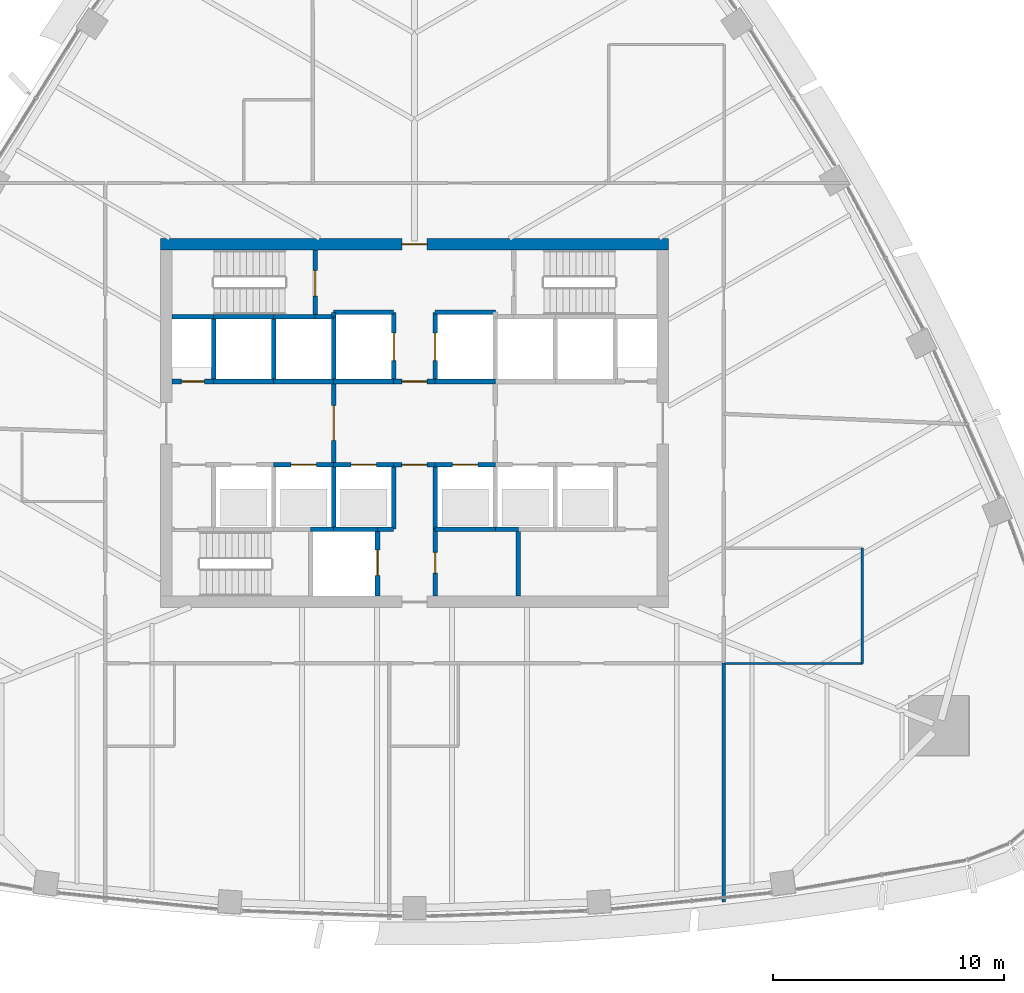
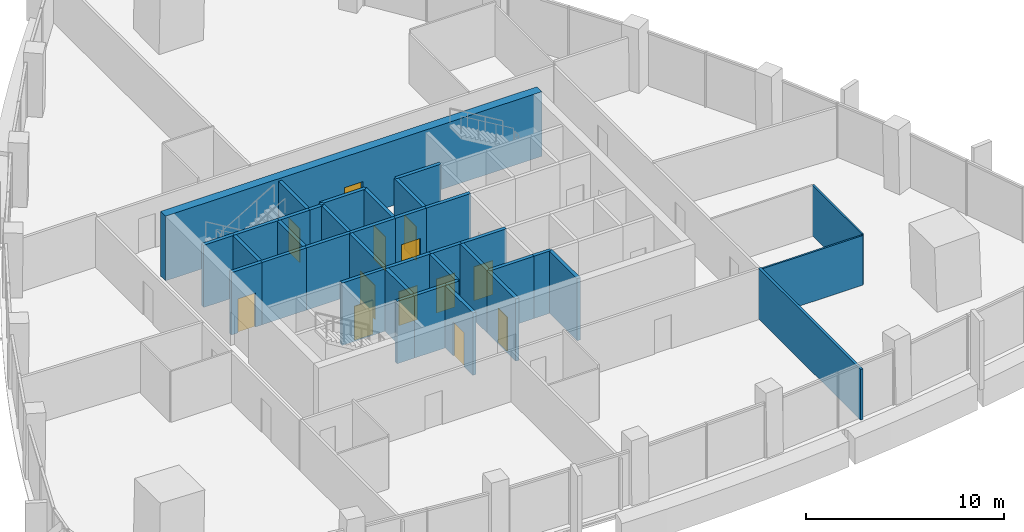
# One storey, part 10 of 19: 39 walls, 13 doors, 13 openings.
"""IFC4 building model written with IfcOpenShell, lengths in metres."""

from ifc_helpers import new_model, si_unit, direction, frame, frame_2d, origin, place, context, subcontext, project, spatial, rectangle, extrude, material, layer, layer_set, type_object, element, fill, save


model = new_model("IFC4")

# Units and contexts
model_context = context("Model", 3, precision=1e-05, world=origin(), true_north=direction((0.0, 1.0)))
body_context = subcontext(model_context, "Body", "Model", "MODEL_VIEW")
ifc_project = project(units=[si_unit("LENGTHUNIT", "METRE"), si_unit("AREAUNIT", "SQUARE_METRE"), si_unit("VOLUMEUNIT", "CUBIC_METRE"), si_unit("PLANEANGLEUNIT", "RADIAN"), si_unit("MASSUNIT", "GRAM", prefix="KILO")], contexts=[model_context])

# Site, building, storey
site_placement = place(None, origin())
site = spatial("IfcSite", under=ifc_project, at=site_placement, CompositionType="ELEMENT")
building_placement = place(site_placement, origin())
building = spatial("IfcBuilding", under=site, at=building_placement, Name="Sierra Prisma Convention Tower", CompositionType="ELEMENT")
storey_placement = place(building_placement, frame((0.0, 0.0, 209.800048828125)))
storey = spatial("IfcBuildingStorey", under=building, at=storey_placement, Name="L47", CompositionType="ELEMENT", Elevation=209.800048828125)

# Walls
ifc_material_1 = material(Name="Gypsum board partition", Category="gypsum")
ifc_layer_1 = layer(ifc_material_1, 0.10009765625)
ifc_layer_set_1 = layer_set([ifc_layer_1], Name="Bathroom partition 100")
wall_type_1 = type_object("IfcWallType", Name="Bathroom partition 100", PredefinedType="PARTITIONING", material=ifc_layer_set_1)
wall_1_placement = place(storey_placement, frame((19.39990234375, -5.419921875, 0.0), z_axis=(0.0, 0.0, 1.0), x_axis=(0.0, -1.0, 0.0)))
element("IfcWall", 1, at=wall_1_placement, inside=storey, type_object=wall_type_1, Name="Partition L47 bath 13", PredefinedType="PARTITIONING", context=body_context, shape_type="SweptSolid", body=[
    extrude(rectangle(XDim=5.0, YDim=0.10009765625, at=frame_2d((2.5, 0.0))), origin(), (0.0, 0.0, 1.0), 3.137939453125),
])
wall_2_placement = place(storey_placement, frame((19.39990234375, -10.419921875, 0.0), z_axis=(0.0, 0.0, 1.0), x_axis=(-1.0, 0.0, 0.0)))
element("IfcWall", 2, at=wall_2_placement, inside=storey, type_object=wall_type_1, Name="Partition L47 bath 14", PredefinedType="PARTITIONING", context=body_context, shape_type="SweptSolid", body=[
    extrude(rectangle(XDim=5.969970703125, YDim=0.10009765625, at=frame_2d((2.98486328125, 0.0))), origin(), (0.0, 0.0, 1.0), 3.06591796875),
])

# Wall, opening, door
ifc_material_2 = material(Name="Concrete C30/37", Category="concrete")
ifc_layer_2 = layer(ifc_material_2, 0.199951171875)
ifc_layer_set_2 = layer_set([ifc_layer_2], Name="Core wall RC 200 C30/37")
wall_type_2 = type_object("IfcWallType", Name="Core wall RC 200 C30/37", PredefinedType="SOLIDWALL", material=ifc_layer_set_2)
wall_3_placement = place(storey_placement, frame((-8.699951171875, 1.800048828125, 0.0), z_axis=(0.0, 0.0, 1.0), x_axis=(-1.0, 0.0, 0.0)))
wall_3 = element("IfcWall", 3, at=wall_3_placement, inside=storey, type_object=wall_type_2, Name="Core wall L47 3", PredefinedType="SOLIDWALL", context=body_context, shape_type="SweptSolid", body=[
    extrude(rectangle(XDim=1.800048828125, YDim=0.199951171875, at=frame_2d((0.89990234375, 0.0))), origin(), (0.0, 0.0, 1.0), 3.849853515625),
])
opening_1_placement = place(wall_3_placement, frame((0.39990234375, 0.0, 0.0)))
opening_1 = element("IfcOpeningElement", 4, at=opening_1_placement, cuts=wall_3, Name="Opening L47-D015", PredefinedType="OPENING", context=body_context, shape_type="SweptSolid", body=[
    extrude(rectangle(XDim=1.0, YDim=2.10009765625, at=frame_2d((0.5, 1.050048828125))), frame((0.0, 0.10009765625, 0.0), z_axis=(0.0, -1.0, 0.0), x_axis=(1.0, 0.0, 0.0)), (0.0, 0.0, 1.0), 0.199951171875),
])
ifc_material_3 = material(Name="Steel fire door leaf", Category="steel")
door_type_1 = type_object("IfcDoorType", Name="Door 1000x2100 FD60S", OperationType="SINGLE_SWING_LEFT", PredefinedType="DOOR", material=ifc_material_3)
door_1_placement = place(opening_1_placement, origin())
door_1 = element("IfcDoor", 5, at=door_1_placement, inside=storey, type_object=door_type_1, Name="Door L47 29", OperationType="SINGLE_SWING_RIGHT", OverallHeight=2.10009765625, OverallWidth=1.0, PredefinedType="DOOR", context=body_context, shape_type="SweptSolid", body=[
    extrude(rectangle(XDim=1.0, YDim=2.10009765625, at=frame_2d((0.5, 1.050048828125))), frame((0.0, 0.02490234375, 0.0), z_axis=(0.0, -1.0, 0.0), x_axis=(1.0, 0.0, 0.0)), (0.0, 0.0, 1.0), 0.050048828125),
])
fill(opening_1, door_1)

# Walls
wall_4_placement = place(storey_placement, frame((-8.699951171875, 4.60009765625, 0.0), z_axis=(0.0, 0.0, 1.0), x_axis=(-1.0, 0.0, 0.0)))
element("IfcWall", 6, at=wall_4_placement, inside=storey, type_object=wall_type_2, Name="Core wall L47 4", PredefinedType="SOLIDWALL", context=body_context, shape_type="SweptSolid", body=[
    extrude(rectangle(XDim=1.800048828125, YDim=0.199951171875, at=frame_2d((0.89990234375, 0.0))), origin(), (0.0, 0.0, 1.0), 3.849853515625),
])
wall_5_placement = place(storey_placement, frame((-6.10009765625, 1.800048828125, 0.0), z_axis=(0.0, 0.0, 1.0), x_axis=(-1.0, 0.0, 0.0)))
element("IfcWall", 7, at=wall_5_placement, inside=storey, type_object=wall_type_2, Name="Core wall L47 8", PredefinedType="SOLIDWALL", context=body_context, shape_type="SweptSolid", body=[
    extrude(rectangle(XDim=2.599853515625, YDim=0.199951171875, at=frame_2d((1.2998046875, 0.0))), origin(), (0.0, 0.0, 1.0), 3.849853515625),
])
wall_6_placement = place(storey_placement, frame((-8.699951171875, 1.800048828125, 0.0), z_axis=(0.0, 0.0, 1.0), x_axis=(0.0, 1.0, 0.0)))
element("IfcWall", 8, at=wall_6_placement, inside=storey, type_object=wall_type_2, Name="Core wall L47 9", PredefinedType="SOLIDWALL", context=body_context, shape_type="SweptSolid", body=[
    extrude(rectangle(XDim=2.800048828125, YDim=0.199951171875, at=frame_2d((1.39990234375, 0.0))), origin(), (0.0, 0.0, 1.0), 3.849853515625),
])
wall_7_placement = place(storey_placement, frame((-6.10009765625, 4.60009765625, 0.0), z_axis=(0.0, 0.0, 1.0), x_axis=(-1.0, 0.0, 0.0)))
element("IfcWall", 9, at=wall_7_placement, inside=storey, type_object=wall_type_2, Name="Core wall L47 10", PredefinedType="SOLIDWALL", context=body_context, shape_type="SweptSolid", body=[
    extrude(rectangle(XDim=2.599853515625, YDim=0.199951171875, at=frame_2d((1.2998046875, 0.0))), origin(), (0.0, 0.0, 1.0), 3.849853515625),
])

# Wall, opening, door
wall_8_placement = place(storey_placement, frame((-6.10009765625, -1.800048828125, 0.0), z_axis=(0.0, 0.0, 1.0), x_axis=(1.0, 0.0, 0.0)))
wall_8 = element("IfcWall", 10, at=wall_8_placement, inside=storey, type_object=wall_type_2, Name="Core wall L47 13", PredefinedType="SOLIDWALL", context=body_context, shape_type="SweptSolid", body=[
    extrude(rectangle(XDim=2.60009765625, YDim=0.199951171875, at=frame_2d((1.300048828125, 0.0))), origin(), (0.0, 0.0, 1.0), 3.849853515625),
])
opening_2_placement = place(wall_8_placement, frame((0.75, 0.0, 0.0)))
opening_2 = element("IfcOpeningElement", 11, at=opening_2_placement, cuts=wall_8, Name="Opening L47-D002", PredefinedType="OPENING", context=body_context, shape_type="SweptSolid", body=[
    extrude(rectangle(XDim=1.10009765625, YDim=2.10009765625, at=frame_2d((0.550048828125, 1.050048828125))), frame((0.0, 0.10009765625, 0.0), z_axis=(0.0, -1.0, 0.0), x_axis=(1.0, 0.0, 0.0)), (0.0, 0.0, 1.0), 0.199951171875),
])
ifc_material_4 = material(Name="Steel fire door leaf", Category="steel")
door_type_2 = type_object("IfcDoorType", Name="Door 1100x2100 EI 90 sliding lift landing", OperationType="SLIDING_TO_LEFT", PredefinedType="DOOR", material=ifc_material_4)
door_2_placement = place(opening_2_placement, origin())
door_2 = element("IfcDoor", 12, at=door_2_placement, inside=storey, type_object=door_type_2, Name="Door L47 16", OperationType="SLIDING_TO_RIGHT", OverallHeight=2.10009765625, OverallWidth=1.10009765625, PredefinedType="DOOR", context=body_context, shape_type="SweptSolid", body=[
    extrude(rectangle(XDim=1.10009765625, YDim=2.10009765625, at=frame_2d((0.550048828125, 1.050048828125))), frame((0.0, 0.02490234375, 0.0), z_axis=(0.0, -1.0, 0.0), x_axis=(1.0, 0.0, 0.0)), (0.0, 0.0, 1.0), 0.050048828125),
])
fill(opening_2, door_2)

# Walls
wall_9_placement = place(storey_placement, frame((-3.5, 1.800048828125, 0.0), z_axis=(0.0, 0.0, 1.0), x_axis=(-1.0, 0.0, 0.0)))
element("IfcWall", 13, at=wall_9_placement, inside=storey, type_object=wall_type_2, Name="Core wall L47 14", PredefinedType="SOLIDWALL", context=body_context, shape_type="SweptSolid", body=[
    extrude(rectangle(XDim=2.60009765625, YDim=0.199951171875, at=frame_2d((1.300048828125, 0.0))), origin(), (0.0, 0.0, 1.0), 3.849853515625),
])
wall_10_placement = place(storey_placement, frame((-6.10009765625, 1.800048828125, 0.0), z_axis=(0.0, 0.0, 1.0), x_axis=(0.0, 1.0, 0.0)))
element("IfcWall", 14, at=wall_10_placement, inside=storey, type_object=wall_type_2, Name="Core wall L47 15", PredefinedType="SOLIDWALL", context=body_context, shape_type="SweptSolid", body=[
    extrude(rectangle(XDim=2.800048828125, YDim=0.199951171875, at=frame_2d((1.39990234375, 0.0))), origin(), (0.0, 0.0, 1.0), 3.849853515625),
])
wall_11_placement = place(storey_placement, frame((-4.300048828125, 4.60009765625, 0.0), z_axis=(0.0, 0.0, 1.0), x_axis=(-1.0, 0.0, 0.0)))
element("IfcWall", 15, at=wall_11_placement, inside=storey, type_object=wall_type_2, Name="Core wall L47 16", PredefinedType="SOLIDWALL", context=body_context, shape_type="SweptSolid", body=[
    extrude(rectangle(XDim=1.800048828125, YDim=0.199951171875, at=frame_2d((0.89990234375, 0.0))), origin(), (0.0, 0.0, 1.0), 3.849853515625),
])
wall_12_placement = place(storey_placement, frame((-4.5, -4.60009765625, 0.0), z_axis=(0.0, 0.0, 1.0), x_axis=(1.0, 0.0, 0.0)))
element("IfcWall", 16, at=wall_12_placement, inside=storey, type_object=wall_type_2, Name="Core wall L47 18", PredefinedType="SOLIDWALL", context=body_context, shape_type="SweptSolid", body=[
    extrude(rectangle(XDim=1.0, YDim=0.199951171875, at=frame_2d((0.5, 0.0))), origin(), (0.0, 0.0, 1.0), 3.849853515625),
])
wall_13_placement = place(storey_placement, frame((-3.5, 4.60009765625, 0.0), z_axis=(0.0, 0.0, 1.0), x_axis=(-1.0, 0.0, 0.0)))
element("IfcWall", 17, at=wall_13_placement, inside=storey, type_object=wall_type_2, Name="Core wall L47 19", PredefinedType="SOLIDWALL", context=body_context, shape_type="SweptSolid", body=[
    extrude(rectangle(XDim=0.800048828125, YDim=0.199951171875, at=frame_2d((0.39990234375, 0.0))), origin(), (0.0, 0.0, 1.0), 3.849853515625),
])

# Wall, opening, door
wall_14_placement = place(storey_placement, frame((-4.300048828125, 4.60009765625, 0.0), z_axis=(0.0, 0.0, 1.0), x_axis=(0.0, 1.0, 0.0)))
wall_14 = element("IfcWall", 18, at=wall_14_placement, inside=storey, type_object=wall_type_2, Name="Core wall L47 20", PredefinedType="SOLIDWALL", context=body_context, shape_type="SweptSolid", body=[
    extrude(rectangle(XDim=2.89990234375, YDim=0.199951171875, at=frame_2d((1.449951171875, 0.0))), origin(), (0.0, 0.0, 1.0), 3.849853515625),
])
opening_3_placement = place(wall_14_placement, frame((0.89990234375, 0.0, 0.0)))
opening_3 = element("IfcOpeningElement", 19, at=opening_3_placement, cuts=wall_14, Name="Opening L47-D018", PredefinedType="OPENING", context=body_context, shape_type="SweptSolid", body=[
    extrude(rectangle(XDim=1.10009765625, YDim=2.10009765625, at=frame_2d((0.550048828125, 1.050048828125))), frame((0.0, 0.10009765625, 0.0), z_axis=(0.0, -1.0, 0.0), x_axis=(1.0, 0.0, 0.0)), (0.0, 0.0, 1.0), 0.199951171875),
])
ifc_material_5 = material(Name="Steel fire door leaf", Category="steel")
door_type_3 = type_object("IfcDoorType", Name="Door 1100x2100 FD90S", OperationType="SINGLE_SWING_LEFT", PredefinedType="DOOR", material=ifc_material_5)
door_3_placement = place(opening_3_placement, origin())
door_3 = element("IfcDoor", 20, at=door_3_placement, inside=storey, type_object=door_type_3, Name="Door L47 32", OperationType="SINGLE_SWING_RIGHT", OverallHeight=2.10009765625, OverallWidth=1.10009765625, PredefinedType="DOOR", context=body_context, shape_type="SweptSolid", body=[
    extrude(rectangle(XDim=1.10009765625, YDim=2.10009765625, at=frame_2d((0.550048828125, 1.050048828125))), frame((0.0, 0.02490234375, 0.0), z_axis=(0.0, -1.0, 0.0), x_axis=(1.0, 0.0, 0.0)), (0.0, 0.0, 1.0), 0.050048828125),
])
fill(opening_3, door_3)

# Walls
wall_15_placement = place(storey_placement, frame((-3.5, -4.60009765625, 0.0), z_axis=(0.0, 0.0, 1.0), x_axis=(1.0, 0.0, 0.0)))
element("IfcWall", 21, at=wall_15_placement, inside=storey, type_object=wall_type_2, Name="Core wall L47 21", PredefinedType="SOLIDWALL", context=body_context, shape_type="SweptSolid", body=[
    extrude(rectangle(XDim=1.89990234375, YDim=0.199951171875, at=frame_2d((0.949951171875, 0.0))), origin(), (0.0, 0.0, 1.0), 3.849853515625),
])
wall_16_placement = place(storey_placement, frame((-3.5, -4.60009765625, 0.0), z_axis=(0.0, 0.0, 1.0), x_axis=(0.0, 1.0, 0.0)))
element("IfcWall", 22, at=wall_16_placement, inside=storey, type_object=wall_type_2, Name="Core wall L47 22", PredefinedType="SOLIDWALL", context=body_context, shape_type="SweptSolid", body=[
    extrude(rectangle(XDim=2.800048828125, YDim=0.199951171875, at=frame_2d((1.39990234375, 0.0))), origin(), (0.0, 0.0, 1.0), 3.849853515625),
])

# Wall, opening, door
wall_17_placement = place(storey_placement, frame((-3.5, -1.800048828125, 0.0), z_axis=(0.0, 0.0, 1.0), x_axis=(1.0, 0.0, 0.0)))
wall_17 = element("IfcWall", 23, at=wall_17_placement, inside=storey, type_object=wall_type_2, Name="Core wall L47 23", PredefinedType="SOLIDWALL", context=body_context, shape_type="SweptSolid", body=[
    extrude(rectangle(XDim=2.60009765625, YDim=0.199951171875, at=frame_2d((1.300048828125, 0.0))), origin(), (0.0, 0.0, 1.0), 3.849853515625),
])
opening_4_placement = place(wall_17_placement, frame((0.75, 0.0, 0.0)))
opening_4 = element("IfcOpeningElement", 24, at=opening_4_placement, cuts=wall_17, Name="Opening L47-D003", PredefinedType="OPENING", context=body_context, shape_type="SweptSolid", body=[
    extrude(rectangle(XDim=1.10009765625, YDim=2.10009765625, at=frame_2d((0.550048828125, 1.050048828125))), frame((0.0, 0.10009765625, 0.0), z_axis=(0.0, -1.0, 0.0), x_axis=(1.0, 0.0, 0.0)), (0.0, 0.0, 1.0), 0.199951171875),
])
door_4_placement = place(opening_4_placement, origin())
door_4 = element("IfcDoor", 25, at=door_4_placement, inside=storey, type_object=door_type_2, Name="Door L47 17", OperationType="SLIDING_TO_LEFT", OverallHeight=2.10009765625, OverallWidth=1.10009765625, PredefinedType="DOOR", context=body_context, shape_type="SweptSolid", body=[
    extrude(rectangle(XDim=1.10009765625, YDim=2.10009765625, at=frame_2d((0.550048828125, 1.050048828125))), frame((0.0, 0.02490234375, 0.0), z_axis=(0.0, -1.0, 0.0), x_axis=(1.0, 0.0, 0.0)), (0.0, 0.0, 1.0), 0.050048828125),
])
fill(opening_4, door_4)

wall_18_placement = place(storey_placement, frame((-3.5, 1.800048828125, 0.0), z_axis=(0.0, 0.0, 1.0), x_axis=(0.0, -1.0, 0.0)))
wall_18 = element("IfcWall", 26, at=wall_18_placement, inside=storey, type_object=wall_type_2, Name="Core wall L47 24", PredefinedType="SOLIDWALL", context=body_context, shape_type="SweptSolid", body=[
    extrude(rectangle(XDim=3.60009765625, YDim=0.199951171875, at=frame_2d((1.800048828125, 0.0))), origin(), (0.0, 0.0, 1.0), 3.849853515625),
])
opening_5_placement = place(wall_18_placement, frame((1.050048828125, 0.0, 0.0)))
opening_5 = element("IfcOpeningElement", 27, at=opening_5_placement, cuts=wall_18, Name="Opening L47-D010", PredefinedType="OPENING", context=body_context, shape_type="SweptSolid", body=[
    extrude(rectangle(XDim=1.5, YDim=2.10009765625, at=frame_2d((0.75, 1.050048828125))), frame((0.0, 0.10009765625, 0.0), z_axis=(0.0, -1.0, 0.0), x_axis=(1.0, 0.0, 0.0)), (0.0, 0.0, 1.0), 0.199951171875),
])
ifc_material_6 = material(Name="Steel fire door leaf", Category="steel")
door_type_4 = type_object("IfcDoorType", Name="Door 1500x2100 FD30S", OperationType="DOUBLE_DOOR_SINGLE_SWING", PredefinedType="DOOR", material=ifc_material_6)
door_5_placement = place(opening_5_placement, origin())
door_5 = element("IfcDoor", 28, at=door_5_placement, inside=storey, type_object=door_type_4, Name="Door L47 24", OperationType="DOUBLE_DOOR_SINGLE_SWING", OverallHeight=2.10009765625, OverallWidth=1.5, PredefinedType="DOOR", context=body_context, shape_type="SweptSolid", body=[
    extrude(rectangle(XDim=1.5, YDim=2.10009765625, at=frame_2d((0.75, 1.050048828125))), frame((0.0, 0.02490234375, 0.0), z_axis=(0.0, -1.0, 0.0), x_axis=(1.0, 0.0, 0.0)), (0.0, 0.0, 1.0), 0.050048828125),
])
fill(opening_5, door_5)

# Walls
wall_19_placement = place(storey_placement, frame((-0.89990234375, 1.800048828125, 0.0), z_axis=(0.0, 0.0, 1.0), x_axis=(-1.0, 0.0, 0.0)))
element("IfcWall", 29, at=wall_19_placement, inside=storey, type_object=wall_type_2, Name="Core wall L47 25", PredefinedType="SOLIDWALL", context=body_context, shape_type="SweptSolid", body=[
    extrude(rectangle(XDim=2.60009765625, YDim=0.199951171875, at=frame_2d((1.300048828125, 0.0))), origin(), (0.0, 0.0, 1.0), 3.849853515625),
])
wall_20_placement = place(storey_placement, frame((-3.5, 4.60009765625, 0.0), z_axis=(0.0, 0.0, 1.0), x_axis=(0.0, -1.0, 0.0)))
element("IfcWall", 30, at=wall_20_placement, inside=storey, type_object=wall_type_2, Name="Core wall L47 26", PredefinedType="SOLIDWALL", context=body_context, shape_type="SweptSolid", body=[
    extrude(rectangle(XDim=2.800048828125, YDim=0.199951171875, at=frame_2d((1.39990234375, 0.0))), origin(), (0.0, 0.0, 1.0), 3.849853515625),
])

# Wall, opening, door
wall_21_placement = place(storey_placement, frame((-0.89990234375, 1.800048828125, 0.0), z_axis=(0.0, 0.0, 1.0), x_axis=(0.0, 1.0, 0.0)))
wall_21 = element("IfcWall", 31, at=wall_21_placement, inside=storey, type_object=wall_type_2, Name="Core wall L47 27", PredefinedType="SOLIDWALL", context=body_context, shape_type="SweptSolid", body=[
    extrude(rectangle(XDim=3.0, YDim=0.199951171875, at=frame_2d((1.5, 0.0))), origin(), (0.0, 0.0, 1.0), 3.849853515625),
])
opening_6_placement = place(wall_21_placement, frame((0.89990234375, 0.0, 0.0)))
opening_6 = element("IfcOpeningElement", 32, at=opening_6_placement, cuts=wall_21, Name="Opening L47-D007", PredefinedType="OPENING", context=body_context, shape_type="SweptSolid", body=[
    extrude(rectangle(XDim=1.199951171875, YDim=2.10009765625, at=frame_2d((0.60009765625, 1.050048828125))), frame((0.0, 0.10009765625, 0.0), z_axis=(0.0, -1.0, 0.0), x_axis=(1.0, 0.0, 0.0)), (0.0, 0.0, 1.0), 0.199951171875),
])
ifc_material_7 = material(Name="Steel fire door leaf", Category="steel")
door_type_5 = type_object("IfcDoorType", Name="Door 1200x2100 EI 90 sliding lift landing", OperationType="SLIDING_TO_LEFT", PredefinedType="DOOR", material=ifc_material_7)
door_6_placement = place(opening_6_placement, origin())
door_6 = element("IfcDoor", 33, at=door_6_placement, inside=storey, type_object=door_type_5, Name="Door L47 21", OperationType="SLIDING_TO_LEFT", OverallHeight=2.10009765625, OverallWidth=1.199951171875, PredefinedType="DOOR", context=body_context, shape_type="SweptSolid", body=[
    extrude(rectangle(XDim=1.199951171875, YDim=2.10009765625, at=frame_2d((0.60009765625, 1.050048828125))), frame((0.0, 0.02490234375, 0.0), z_axis=(0.0, -1.0, 0.0), x_axis=(1.0, 0.0, 0.0)), (0.0, 0.0, 1.0), 0.050048828125),
])
fill(opening_6, door_6)

# Walls
wall_22_placement = place(storey_placement, frame((-0.89990234375, 4.800048828125, 0.0), z_axis=(0.0, 0.0, 1.0), x_axis=(-1.0, 0.0, 0.0)))
element("IfcWall", 34, at=wall_22_placement, inside=storey, type_object=wall_type_2, Name="Core wall L47 28", PredefinedType="SOLIDWALL", context=body_context, shape_type="SweptSolid", body=[
    extrude(rectangle(XDim=2.60009765625, YDim=0.199951171875, at=frame_2d((1.300048828125, 0.0))), origin(), (0.0, 0.0, 1.0), 3.849853515625),
])
wall_23_placement = place(storey_placement, frame((-3.5, 4.800048828125, 0.0), z_axis=(0.0, 0.0, 1.0), x_axis=(0.0, -1.0, 0.0)))
element("IfcWall", 35, at=wall_23_placement, inside=storey, type_object=wall_type_2, Name="Core wall L47 29", PredefinedType="SOLIDWALL", context=body_context, shape_type="SweptSolid", body=[
    extrude(rectangle(XDim=0.199951171875, YDim=0.199951171875, at=frame_2d((0.10009765625, 0.0))), origin(), (0.0, 0.0, 1.0), 3.849853515625),
])

# Wall, opening, door
wall_24_placement = place(storey_placement, frame((-1.60009765625, -7.5, 0.0), z_axis=(0.0, 0.0, 1.0), x_axis=(0.0, 1.0, 0.0)))
wall_24 = element("IfcWall", 36, at=wall_24_placement, inside=storey, type_object=wall_type_2, Name="Core wall L47 30", PredefinedType="SOLIDWALL", context=body_context, shape_type="SweptSolid", body=[
    extrude(rectangle(XDim=2.89990234375, YDim=0.199951171875, at=frame_2d((1.449951171875, 0.0))), origin(), (0.0, 0.0, 1.0), 3.849853515625),
])
opening_7_placement = place(wall_24_placement, frame((0.89990234375, 0.0, 0.0)))
opening_7 = element("IfcOpeningElement", 37, at=opening_7_placement, cuts=wall_24, Name="Opening L47-D009", PredefinedType="OPENING", context=body_context, shape_type="SweptSolid", body=[
    extrude(rectangle(XDim=1.10009765625, YDim=2.10009765625, at=frame_2d((0.550048828125, 1.050048828125))), frame((0.0, 0.10009765625, 0.0), z_axis=(0.0, -1.0, 0.0), x_axis=(1.0, 0.0, 0.0)), (0.0, 0.0, 1.0), 0.199951171875),
])
door_7_placement = place(opening_7_placement, origin())
door_7 = element("IfcDoor", 38, at=door_7_placement, inside=storey, type_object=door_type_2, Name="Door L47 23", OperationType="SLIDING_TO_LEFT", OverallHeight=2.10009765625, OverallWidth=1.10009765625, PredefinedType="DOOR", context=body_context, shape_type="SweptSolid", body=[
    extrude(rectangle(XDim=1.10009765625, YDim=2.10009765625, at=frame_2d((0.550048828125, 1.050048828125))), frame((0.0, 0.02490234375, 0.0), z_axis=(0.0, -1.0, 0.0), x_axis=(1.0, 0.0, 0.0)), (0.0, 0.0, 1.0), 0.050048828125),
])
fill(opening_7, door_7)

# Walls
wall_25_placement = place(storey_placement, frame((-1.60009765625, -4.60009765625, 0.0), z_axis=(0.0, 0.0, 1.0), x_axis=(1.0, 0.0, 0.0)))
element("IfcWall", 39, at=wall_25_placement, inside=storey, type_object=wall_type_2, Name="Core wall L47 31", PredefinedType="SOLIDWALL", context=body_context, shape_type="SweptSolid", body=[
    extrude(rectangle(XDim=0.7001953125, YDim=0.199951171875, at=frame_2d((0.35009765625, 0.0))), origin(), (0.0, 0.0, 1.0), 3.849853515625),
])
wall_26_placement = place(storey_placement, frame((-0.89990234375, -4.60009765625, 0.0), z_axis=(0.0, 0.0, 1.0), x_axis=(0.0, 1.0, 0.0)))
element("IfcWall", 40, at=wall_26_placement, inside=storey, type_object=wall_type_2, Name="Core wall L47 32", PredefinedType="SOLIDWALL", context=body_context, shape_type="SweptSolid", body=[
    extrude(rectangle(XDim=2.800048828125, YDim=0.199951171875, at=frame_2d((1.39990234375, 0.0))), origin(), (0.0, 0.0, 1.0), 3.849853515625),
])

# Wall, opening, door
wall_27_placement = place(storey_placement, frame((-0.89990234375, -1.800048828125, 0.0), z_axis=(0.0, 0.0, 1.0), x_axis=(1.0, 0.0, 0.0)))
wall_27 = element("IfcWall", 41, at=wall_27_placement, inside=storey, type_object=wall_type_2, Name="Core wall L47 33", PredefinedType="SOLIDWALL", context=body_context, shape_type="SweptSolid", body=[
    extrude(rectangle(XDim=1.7998046875, YDim=0.199951171875, at=frame_2d((0.89990234375, 0.0))), origin(), (0.0, 0.0, 1.0), 3.849853515625),
])
opening_8_placement = place(wall_27_placement, frame((0.35009765625, 0.0, 0.0)))
opening_8 = element("IfcOpeningElement", 42, at=opening_8_placement, cuts=wall_27, Name="Opening L47-D014", PredefinedType="OPENING", context=body_context, shape_type="SweptSolid", body=[
    extrude(rectangle(XDim=1.10009765625, YDim=2.10009765625, at=frame_2d((0.550048828125, 1.050048828125))), frame((0.0, 0.10009765625, 0.0), z_axis=(0.0, -1.0, 0.0), x_axis=(1.0, 0.0, 0.0)), (0.0, 0.0, 1.0), 0.199951171875),
])
ifc_material_8 = material(Name="Steel fire door leaf", Category="steel")
door_type_6 = type_object("IfcDoorType", Name="Door 1100x2100 FD30S", OperationType="SINGLE_SWING_LEFT", PredefinedType="DOOR", material=ifc_material_8)
door_8_placement = place(opening_8_placement, origin())
door_8 = element("IfcDoor", 43, at=door_8_placement, inside=storey, type_object=door_type_6, Name="Door L47 28", OperationType="SINGLE_SWING_RIGHT", OverallHeight=2.10009765625, OverallWidth=1.10009765625, PredefinedType="DOOR", context=body_context, shape_type="SweptSolid", body=[
    extrude(rectangle(XDim=1.10009765625, YDim=2.10009765625, at=frame_2d((0.550048828125, 1.050048828125))), frame((0.0, 0.02490234375, 0.0), z_axis=(0.0, -1.0, 0.0), x_axis=(1.0, 0.0, 0.0)), (0.0, 0.0, 1.0), 0.050048828125),
])
fill(opening_8, door_8)

wall_28_placement = place(storey_placement, frame((0.89990234375, 1.800048828125, 0.0), z_axis=(0.0, 0.0, 1.0), x_axis=(-1.0, 0.0, 0.0)))
wall_28 = element("IfcWall", 44, at=wall_28_placement, inside=storey, type_object=wall_type_2, Name="Core wall L47 34", PredefinedType="SOLIDWALL", context=body_context, shape_type="SweptSolid", body=[
    extrude(rectangle(XDim=1.7998046875, YDim=0.199951171875, at=frame_2d((0.89990234375, 0.0))), origin(), (0.0, 0.0, 1.0), 3.849853515625),
])
opening_9_placement = place(wall_28_placement, frame((0.35009765625, 0.0, 0.0)))
opening_9 = element("IfcOpeningElement", 45, at=opening_9_placement, cuts=wall_28, Name="Opening L47-D013", PredefinedType="OPENING", context=body_context, shape_type="SweptSolid", body=[
    extrude(rectangle(XDim=1.10009765625, YDim=2.10009765625, at=frame_2d((0.550048828125, 1.050048828125))), frame((0.0, 0.10009765625, 0.0), z_axis=(0.0, -1.0, 0.0), x_axis=(1.0, 0.0, 0.0)), (0.0, 0.0, 1.0), 0.199951171875),
])
ifc_material_9 = material(Name="Steel fire door leaf", Category="steel")
door_type_7 = type_object("IfcDoorType", Name="Door 1100x2100 FD60S", OperationType="SINGLE_SWING_LEFT", PredefinedType="DOOR", material=ifc_material_9)
door_9_placement = place(opening_9_placement, origin())
door_9 = element("IfcDoor", 46, at=door_9_placement, inside=storey, type_object=door_type_7, Name="Door L47 27", OperationType="SINGLE_SWING_RIGHT", OverallHeight=2.10009765625, OverallWidth=1.10009765625, PredefinedType="DOOR", context=body_context, shape_type="SweptSolid", body=[
    extrude(rectangle(XDim=1.10009765625, YDim=2.10009765625, at=frame_2d((0.550048828125, 1.050048828125))), frame((0.0, 0.02490234375, 0.0), z_axis=(0.0, -1.0, 0.0), x_axis=(1.0, 0.0, 0.0)), (0.0, 0.0, 1.0), 0.050048828125),
])
fill(opening_9, door_9)

wall_29_placement = place(storey_placement, frame((0.89990234375, -4.60009765625, 0.0), z_axis=(0.0, 0.0, 1.0), x_axis=(0.0, -1.0, 0.0)))
wall_29 = element("IfcWall", 47, at=wall_29_placement, inside=storey, type_object=wall_type_2, Name="Core wall L47 35", PredefinedType="SOLIDWALL", context=body_context, shape_type="SweptSolid", body=[
    extrude(rectangle(XDim=2.89990234375, YDim=0.199951171875, at=frame_2d((1.449951171875, 0.0))), origin(), (0.0, 0.0, 1.0), 3.849853515625),
])
opening_10_placement = place(wall_29_placement, frame((1.0, 0.0, 0.0)))
opening_10 = element("IfcOpeningElement", 48, at=opening_10_placement, cuts=wall_29, Name="Opening L47-D022", PredefinedType="OPENING", context=body_context, shape_type="SweptSolid", body=[
    extrude(rectangle(XDim=0.89990234375, YDim=2.10009765625, at=frame_2d((0.449951171875, 1.050048828125))), frame((0.0, 0.10009765625, 0.0), z_axis=(0.0, -1.0, 0.0), x_axis=(1.0, 0.0, 0.0)), (0.0, 0.0, 1.0), 0.199951171875),
])
ifc_material_10 = material(Name="Steel fire door leaf", Category="steel")
door_type_8 = type_object("IfcDoorType", Name="Door 900x2100 FD30S", OperationType="SINGLE_SWING_LEFT", PredefinedType="DOOR", material=ifc_material_10)
door_10_placement = place(opening_10_placement, origin())
door_10 = element("IfcDoor", 49, at=door_10_placement, inside=storey, type_object=door_type_8, Name="Door L47 36", OperationType="SINGLE_SWING_LEFT", OverallHeight=2.10009765625, OverallWidth=0.89990234375, PredefinedType="DOOR", context=body_context, shape_type="SweptSolid", body=[
    extrude(rectangle(XDim=0.89990234375, YDim=2.10009765625, at=frame_2d((0.449951171875, 1.050048828125))), frame((0.0, 0.02490234375, 0.0), z_axis=(0.0, -1.0, 0.0), x_axis=(1.0, 0.0, 0.0)), (0.0, 0.0, 1.0), 0.050048828125),
])
fill(opening_10, door_10)

# Walls
wall_30_placement = place(storey_placement, frame((3.5, -4.60009765625, 0.0), z_axis=(0.0, 0.0, 1.0), x_axis=(-1.0, 0.0, 0.0)))
element("IfcWall", 50, at=wall_30_placement, inside=storey, type_object=wall_type_2, Name="Core wall L47 36", PredefinedType="SOLIDWALL", context=body_context, shape_type="SweptSolid", body=[
    extrude(rectangle(XDim=2.60009765625, YDim=0.199951171875, at=frame_2d((1.300048828125, 0.0))), origin(), (0.0, 0.0, 1.0), 3.849853515625),
])
wall_31_placement = place(storey_placement, frame((0.89990234375, -1.800048828125, 0.0), z_axis=(0.0, 0.0, 1.0), x_axis=(0.0, -1.0, 0.0)))
element("IfcWall", 51, at=wall_31_placement, inside=storey, type_object=wall_type_2, Name="Core wall L47 37", PredefinedType="SOLIDWALL", context=body_context, shape_type="SweptSolid", body=[
    extrude(rectangle(XDim=2.800048828125, YDim=0.199951171875, at=frame_2d((1.39990234375, 0.0))), origin(), (0.0, 0.0, 1.0), 3.849853515625),
])

# Wall, opening, door
wall_32_placement = place(storey_placement, frame((0.89990234375, -1.800048828125, 0.0), z_axis=(0.0, 0.0, 1.0), x_axis=(1.0, 0.0, 0.0)))
wall_32 = element("IfcWall", 52, at=wall_32_placement, inside=storey, type_object=wall_type_2, Name="Core wall L47 38", PredefinedType="SOLIDWALL", context=body_context, shape_type="SweptSolid", body=[
    extrude(rectangle(XDim=2.60009765625, YDim=0.199951171875, at=frame_2d((1.300048828125, 0.0))), origin(), (0.0, 0.0, 1.0), 3.849853515625),
])
opening_11_placement = place(wall_32_placement, frame((0.75, 0.0, 0.0)))
opening_11 = element("IfcOpeningElement", 53, at=opening_11_placement, cuts=wall_32, Name="Opening L47-D004", PredefinedType="OPENING", context=body_context, shape_type="SweptSolid", body=[
    extrude(rectangle(XDim=1.10009765625, YDim=2.10009765625, at=frame_2d((0.550048828125, 1.050048828125))), frame((0.0, 0.10009765625, 0.0), z_axis=(0.0, -1.0, 0.0), x_axis=(1.0, 0.0, 0.0)), (0.0, 0.0, 1.0), 0.199951171875),
])
door_11_placement = place(opening_11_placement, origin())
door_11 = element("IfcDoor", 54, at=door_11_placement, inside=storey, type_object=door_type_2, Name="Door L47 18", OperationType="SLIDING_TO_LEFT", OverallHeight=2.10009765625, OverallWidth=1.10009765625, PredefinedType="DOOR", context=body_context, shape_type="SweptSolid", body=[
    extrude(rectangle(XDim=1.10009765625, YDim=2.10009765625, at=frame_2d((0.550048828125, 1.050048828125))), frame((0.0, 0.02490234375, 0.0), z_axis=(0.0, -1.0, 0.0), x_axis=(1.0, 0.0, 0.0)), (0.0, 0.0, 1.0), 0.050048828125),
])
fill(opening_11, door_11)

# Walls
for number, where, z_axis, x_axis, name in (
    (55, (3.5, 1.800048828125, 0.0), (0.0, 0.0, 1.0), (-1.0, 0.0, 0.0), "Core wall L47 39"),
    (56, (3.5, 4.800048828125, 0.0), (0.0, 0.0, 1.0), (-1.0, 0.0, 0.0), "Core wall L47 41"),
):
    element("IfcWall", number, at=place(storey_placement, frame(where, z_axis=z_axis, x_axis=x_axis)), inside=storey, type_object=wall_type_2, Name=name, PredefinedType="SOLIDWALL", context=body_context, shape_type="SweptSolid", body=[
        extrude(rectangle(XDim=2.60009765625, YDim=0.199951171875, at=frame_2d((1.300048828125, 0.0))), origin(), (0.0, 0.0, 1.0), 3.849853515625),
    ])

# Wall, opening, door
wall_33_placement = place(storey_placement, frame((0.89990234375, 4.800048828125, 0.0), z_axis=(0.0, 0.0, 1.0), x_axis=(0.0, -1.0, 0.0)))
wall_33 = element("IfcWall", 57, at=wall_33_placement, inside=storey, type_object=wall_type_2, Name="Core wall L47 42", PredefinedType="SOLIDWALL", context=body_context, shape_type="SweptSolid", body=[
    extrude(rectangle(XDim=3.0, YDim=0.199951171875, at=frame_2d((1.5, 0.0))), origin(), (0.0, 0.0, 1.0), 3.849853515625),
])
opening_12_placement = place(wall_33_placement, frame((0.89990234375, 0.0, 0.0)))
opening_12 = element("IfcOpeningElement", 58, at=opening_12_placement, cuts=wall_33, Name="Opening L47-D008", PredefinedType="OPENING", context=body_context, shape_type="SweptSolid", body=[
    extrude(rectangle(XDim=1.199951171875, YDim=2.10009765625, at=frame_2d((0.60009765625, 1.050048828125))), frame((0.0, 0.10009765625, 0.0), z_axis=(0.0, -1.0, 0.0), x_axis=(1.0, 0.0, 0.0)), (0.0, 0.0, 1.0), 0.199951171875),
])
door_12_placement = place(opening_12_placement, origin())
door_12 = element("IfcDoor", 59, at=door_12_placement, inside=storey, type_object=door_type_5, Name="Door L47 22", OperationType="SLIDING_TO_LEFT", OverallHeight=2.10009765625, OverallWidth=1.199951171875, PredefinedType="DOOR", context=body_context, shape_type="SweptSolid", body=[
    extrude(rectangle(XDim=1.199951171875, YDim=2.10009765625, at=frame_2d((0.60009765625, 1.050048828125))), frame((0.0, 0.02490234375, 0.0), z_axis=(0.0, -1.0, 0.0), x_axis=(1.0, 0.0, 0.0)), (0.0, 0.0, 1.0), 0.050048828125),
])
fill(opening_12, door_12)

# Walls
wall_34_placement = place(storey_placement, frame((4.5, -4.60009765625, 0.0), z_axis=(0.0, 0.0, 1.0), x_axis=(-1.0, 0.0, 0.0)))
element("IfcWall", 60, at=wall_34_placement, inside=storey, type_object=wall_type_2, Name="Core wall L47 43", PredefinedType="SOLIDWALL", context=body_context, shape_type="SweptSolid", body=[
    extrude(rectangle(XDim=1.0, YDim=0.199951171875, at=frame_2d((0.5, 0.0))), origin(), (0.0, 0.0, 1.0), 3.849853515625),
])
wall_35_placement = place(storey_placement, frame((4.5, -4.60009765625, 0.0), z_axis=(0.0, 0.0, 1.0), x_axis=(0.0, -1.0, 0.0)))
element("IfcWall", 61, at=wall_35_placement, inside=storey, type_object=wall_type_2, Name="Core wall L47 52", PredefinedType="SOLIDWALL", context=body_context, shape_type="SweptSolid", body=[
    extrude(rectangle(XDim=2.89990234375, YDim=0.199951171875, at=frame_2d((1.449951171875, 0.0))), origin(), (0.0, 0.0, 1.0), 3.849853515625),
])

# Wall, opening, door
ifc_material_11 = material(Name="Concrete C60/75", Category="concrete")
ifc_layer_3 = layer(ifc_material_11, 0.5)
ifc_layer_set_3 = layer_set([ifc_layer_3], Name="Core wall RC 500 C60/75")
wall_type_3 = type_object("IfcWallType", Name="Core wall RC 500 C60/75", PredefinedType="SHEAR", material=ifc_layer_set_3)
wall_36_placement = place(storey_placement, frame((-11.0, 7.75, 0.0), z_axis=(0.0, 0.0, 1.0), x_axis=(1.0, 0.0, 0.0)))
wall_36 = element("IfcWall", 62, at=wall_36_placement, inside=storey, type_object=wall_type_3, Name="Core wall N L47", PredefinedType="SHEAR", context=body_context, shape_type="SweptSolid", body=[
    extrude(rectangle(XDim=22.0, YDim=0.5, at=frame_2d((11.0, 0.0))), origin(), (0.0, 0.0, 1.0), 4.0),
])
opening_13_placement = place(wall_36_placement, frame((10.449951171875, 0.0, 0.0)))
opening_13 = element("IfcOpeningElement", 63, at=opening_13_placement, cuts=wall_36, Name="Opening L47-D038", PredefinedType="OPENING", context=body_context, shape_type="SweptSolid", body=[
    extrude(rectangle(XDim=1.10009765625, YDim=2.10009765625, at=frame_2d((0.550048828125, 1.050048828125))), frame((0.0, 0.25, 0.0), z_axis=(0.0, -1.0, 0.0), x_axis=(1.0, 0.0, 0.0)), (0.0, 0.0, 1.0), 0.5),
])
door_13_placement = place(opening_13_placement, origin())
door_13 = element("IfcDoor", 64, at=door_13_placement, inside=storey, type_object=door_type_7, Name="Door L47 39", OperationType="SINGLE_SWING_LEFT", OverallHeight=2.10009765625, OverallWidth=1.10009765625, PredefinedType="DOOR", context=body_context, shape_type="SweptSolid", body=[
    extrude(rectangle(XDim=1.10009765625, YDim=2.10009765625, at=frame_2d((0.550048828125, 1.050048828125))), frame((0.0, 0.02490234375, 0.0), z_axis=(0.0, -1.0, 0.0), x_axis=(1.0, 0.0, 0.0)), (0.0, 0.0, 1.0), 0.050048828125),
])
fill(opening_13, door_13)

# Wall
ifc_material_12 = material(Name="Gypsum board partition", Category="gypsum")
ifc_layer_4 = layer(ifc_material_12, 0.14990234375)
ifc_layer_set_4 = layer_set([ifc_layer_4], Name="Party wall 150 gypsum")
wall_type_4 = type_object("IfcWallType", Name="Party wall 150 gypsum", PredefinedType="PARTITIONING", material=ifc_layer_set_4)
wall_37_placement = place(storey_placement, frame((13.39990234375, -10.39990234375, 0.0), z_axis=(0.0, 0.0, 1.0), x_axis=(0.0, -1.0, 0.0)))
element("IfcWall", 65, at=wall_37_placement, inside=storey, type_object=wall_type_4, Name="Partition L47 party 6", PredefinedType="PARTITIONING", context=body_context, shape_type="SweptSolid", body=[
    extrude(rectangle(XDim=10.341064453125, YDim=0.14990234375, at=frame_2d((5.17041015625, 0.0))), origin(), (0.0, 0.0, 1.0), 3.134033203125),
])

save(model, "model.ifc")
